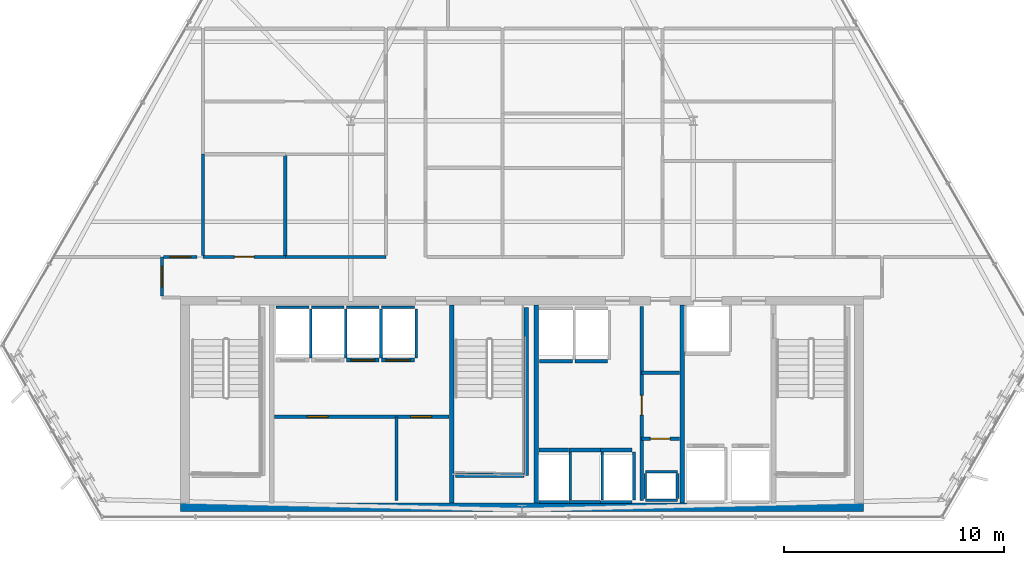
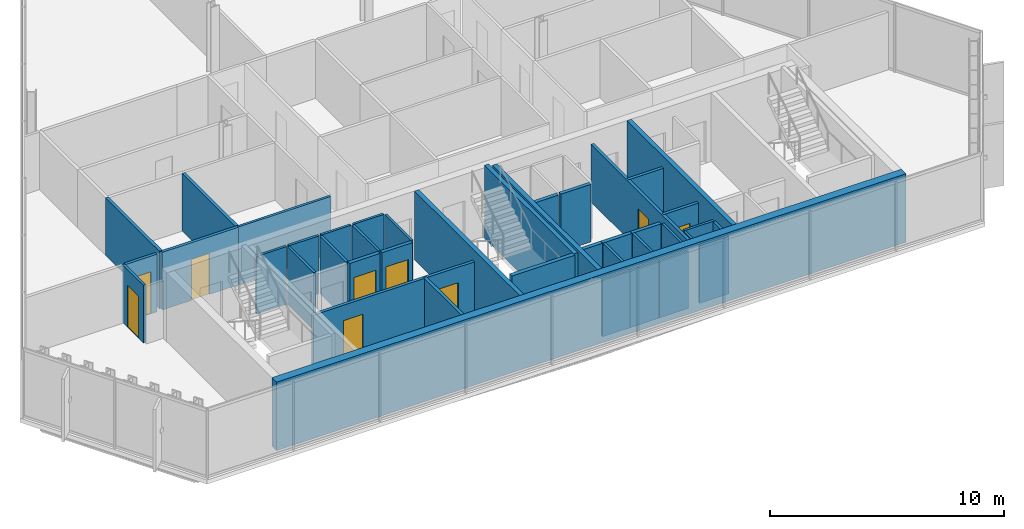
# One storey, part 27 of 34: 42 walls, 9 doors, 9 openings.
"""IFC4 building model written with IfcOpenShell, lengths in metres."""

from ifc_helpers import new_model, si_unit, direction, frame, frame_2d, origin, place, context, subcontext, project, spatial, rectangle, extrude, material, layer, layer_set, type_object, element, fill, save


model = new_model("IFC4")

# Units and contexts
model_context = context("Model", 3, precision=1e-05, world=origin(), true_north=direction((0.0, 1.0)))
body_context = subcontext(model_context, "Body", "Model", "MODEL_VIEW")
ifc_project = project(units=[si_unit("LENGTHUNIT", "METRE"), si_unit("AREAUNIT", "SQUARE_METRE"), si_unit("VOLUMEUNIT", "CUBIC_METRE"), si_unit("PLANEANGLEUNIT", "RADIAN"), si_unit("MASSUNIT", "GRAM", prefix="KILO")], contexts=[model_context])

# Site, building, storey
site_placement = place(None, origin())
site = spatial("IfcSite", under=ifc_project, at=site_placement, CompositionType="ELEMENT")
building_placement = place(site_placement, origin())
building = spatial("IfcBuilding", under=site, at=building_placement, Name="Ndaravel Arena Tower", CompositionType="ELEMENT")
storey_placement = place(building_placement, frame((0.0, 0.0, 195.39990234375)))
storey = spatial("IfcBuildingStorey", under=building, at=storey_placement, Name="L47", CompositionType="ELEMENT", Elevation=195.39990234375)

# Wall, opening, door
ifc_material_1 = material(Name="Gypsum", Category="gypsum")
ifc_layer_1 = layer(ifc_material_1, 0.14990234375)
ifc_layer_set_1 = layer_set([ifc_layer_1], Name="Gypsum")
wall_type_1 = type_object("IfcWallType", Name="WALL-COMP-150", PredefinedType="PARTITIONING", material=ifc_layer_set_1)
wall_1_placement = place(storey_placement, frame((47.449951171875, 5.89990234375, 0.0), z_axis=(0.0, 0.0, 1.0), x_axis=(0.0, 1.0, 0.0)))
wall_1 = element("IfcWall", 1, at=wall_1_placement, inside=storey, type_object=wall_type_1, Name="L47 Core Riser Bay Partition", PredefinedType="PARTITIONING", context=body_context, shape_type="SweptSolid", body=[
    extrude(rectangle(XDim=8.85009765625, YDim=0.14990234375, at=frame_2d((4.425048828125, 0.0))), origin(), (0.0, 0.0, 1.0), 3.010498046875),
])
opening_1_placement = place(wall_1_placement, frame((3.89990234375, 0.0, 0.0)))
opening_1 = element("IfcOpeningElement", 2, at=opening_1_placement, cuts=wall_1, Name="Opening RD-01", PredefinedType="OPENING", context=body_context, shape_type="SweptSolid", body=[
    extrude(rectangle(XDim=0.89990234375, YDim=2.10009765625, at=frame_2d((0.449951171875, 1.050048828125))), frame((0.0, 0.074951171875, 0.0), z_axis=(0.0, -1.0, 0.0), x_axis=(1.0, 0.0, 0.0)), (0.0, 0.0, 1.0), 0.14990234375),
])
ifc_material_2 = material(Name="Steel S355", Category="steel")
door_type_1 = type_object("IfcDoorType", Name="DT-08-RISER-900", OperationType="SINGLE_SWING_LEFT", PredefinedType="DOOR", material=ifc_material_2)
door_1_placement = place(opening_1_placement, origin())
door_1 = element("IfcDoor", 3, at=door_1_placement, inside=storey, type_object=door_type_1, Name="L47 Plumbing Riser Door", OperationType="SINGLE_SWING_LEFT", OverallHeight=2.10009765625, OverallWidth=0.89990234375, PredefinedType="DOOR", context=body_context, shape_type="SweptSolid", body=[
    extrude(rectangle(XDim=0.89990234375, YDim=2.10009765625, at=frame_2d((0.449951171875, 1.050048828125))), frame((0.0, 0.02490234375, 0.0), z_axis=(0.0, -1.0, 0.0), x_axis=(1.0, 0.0, 0.0)), (0.0, 0.0, 1.0), 0.050048828125),
])
fill(opening_1, door_1)

wall_2_placement = place(storey_placement, frame((47.449951171875, 8.719970703125, 0.0), z_axis=(0.0, 0.0, 1.0), x_axis=(1.0, 0.0, 0.0)))
wall_2 = element("IfcWall", 4, at=wall_2_placement, inside=storey, type_object=wall_type_1, Name="L47 Core Riser Divider 1", PredefinedType="PARTITIONING", context=body_context, shape_type="SweptSolid", body=[
    extrude(rectangle(XDim=1.72998046875, YDim=0.14990234375, at=frame_2d((0.864990234375, 0.0))), origin(), (0.0, 0.0, 1.0), 3.010498046875),
])
opening_2_placement = place(wall_2_placement, frame((0.39990234375, 0.0, 0.0)))
opening_2 = element("IfcOpeningElement", 5, at=opening_2_placement, cuts=wall_2, Name="Opening RD-01", PredefinedType="OPENING", context=body_context, shape_type="SweptSolid", body=[
    extrude(rectangle(XDim=0.89990234375, YDim=2.10009765625, at=frame_2d((0.449951171875, 1.050048828125))), frame((0.0, 0.074951171875, 0.0), z_axis=(0.0, -1.0, 0.0), x_axis=(1.0, 0.0, 0.0)), (0.0, 0.0, 1.0), 0.14990234375),
])
door_2_placement = place(opening_2_placement, origin())
door_2 = element("IfcDoor", 6, at=door_2_placement, inside=storey, type_object=door_type_1, Name="L47 Low-Voltage Riser Door", OperationType="SINGLE_SWING_RIGHT", OverallHeight=2.10009765625, OverallWidth=0.89990234375, PredefinedType="DOOR", context=body_context, shape_type="SweptSolid", body=[
    extrude(rectangle(XDim=0.89990234375, YDim=2.10009765625, at=frame_2d((0.449951171875, 1.050048828125))), frame((0.0, 0.02490234375, 0.0), z_axis=(0.0, -1.0, 0.0), x_axis=(1.0, 0.0, 0.0)), (0.0, 0.0, 1.0), 0.050048828125),
])
fill(opening_2, door_2)

# Wall
wall_3_placement = place(storey_placement, frame((47.449951171875, 11.719970703125, 0.0), z_axis=(0.0, 0.0, 1.0), x_axis=(1.0, 0.0, 0.0)))
element("IfcWall", 7, at=wall_3_placement, inside=storey, type_object=wall_type_1, Name="L47 Core Riser Divider 2", PredefinedType="PARTITIONING", context=body_context, shape_type="SweptSolid", body=[
    extrude(rectangle(XDim=1.72998046875, YDim=0.14990234375, at=frame_2d((0.864990234375, 0.0))), origin(), (0.0, 0.0, 1.0), 3.010498046875),
])

# Wall, openings, doors
wall_4_placement = place(storey_placement, frame((30.719970703125, 9.719970703125, 0.0), z_axis=(0.0, 0.0, 1.0), x_axis=(1.0, 0.0, 0.0)))
wall_4 = element("IfcWall", 8, at=wall_4_placement, inside=storey, type_object=wall_type_1, Name="L47 Reclaimed Shaft Partition", PredefinedType="PARTITIONING", context=body_context, shape_type="SweptSolid", body=[
    extrude(rectangle(XDim=7.9599609375, YDim=0.14990234375, at=frame_2d((3.97998046875, 0.0))), origin(), (0.0, 0.0, 1.0), 3.010498046875),
])
opening_3_placement = place(wall_4_placement, frame((1.5, 0.0, 0.0)))
opening_3 = element("IfcOpeningElement", 9, at=opening_3_placement, cuts=wall_4, Name="Opening FD-03", PredefinedType="OPENING", context=body_context, shape_type="SweptSolid", body=[
    extrude(rectangle(XDim=0.949951171875, YDim=2.199951171875, at=frame_2d((0.47509765625, 1.10009765625))), frame((0.0, 0.074951171875, 0.0), z_axis=(0.0, -1.0, 0.0), x_axis=(1.0, 0.0, 0.0)), (0.0, 0.0, 1.0), 0.14990234375),
])
opening_4_placement = place(wall_4_placement, frame((6.2099609375, 0.0, 0.0)))
opening_4 = element("IfcOpeningElement", 10, at=opening_4_placement, cuts=wall_4, Name="Opening FD-03", PredefinedType="OPENING", context=body_context, shape_type="SweptSolid", body=[
    extrude(rectangle(XDim=0.949951171875, YDim=2.199951171875, at=frame_2d((0.47509765625, 1.10009765625))), frame((0.0, 0.074951171875, 0.0), z_axis=(0.0, -1.0, 0.0), x_axis=(1.0, 0.0, 0.0)), (0.0, 0.0, 1.0), 0.14990234375),
])
ifc_material_3 = material(Name="Steel S355", Category="steel")
door_type_2 = type_object("IfcDoorType", Name="DT-11-CORE-950", OperationType="SINGLE_SWING_LEFT", PredefinedType="DOOR", material=ifc_material_3)
door_3_placement = place(opening_3_placement, origin())
door_3 = element("IfcDoor", 11, at=door_3_placement, inside=storey, type_object=door_type_2, Name="L47 ICT Server Room Door", OperationType="SINGLE_SWING_LEFT", OverallHeight=2.199951171875, OverallWidth=0.949951171875, PredefinedType="DOOR", context=body_context, shape_type="SweptSolid", body=[
    extrude(rectangle(XDim=0.949951171875, YDim=2.199951171875, at=frame_2d((0.47509765625, 1.10009765625))), frame((0.0, 0.02490234375, 0.0), z_axis=(0.0, -1.0, 0.0), x_axis=(1.0, 0.0, 0.0)), (0.0, 0.0, 1.0), 0.050048828125),
])
fill(opening_3, door_3)
door_4_placement = place(opening_4_placement, origin())
door_4 = element("IfcDoor", 12, at=door_4_placement, inside=storey, type_object=door_type_2, Name="L47 Core Archive Room Door", OperationType="SINGLE_SWING_RIGHT", OverallHeight=2.199951171875, OverallWidth=0.949951171875, PredefinedType="DOOR", context=body_context, shape_type="SweptSolid", body=[
    extrude(rectangle(XDim=0.949951171875, YDim=2.199951171875, at=frame_2d((0.47509765625, 1.10009765625))), frame((0.0, 0.02490234375, 0.0), z_axis=(0.0, -1.0, 0.0), x_axis=(1.0, 0.0, 0.0)), (0.0, 0.0, 1.0), 0.050048828125),
])
fill(opening_4, door_4)

# Walls
wall_5_placement = place(storey_placement, frame((36.280029296875, 5.89990234375, 0.0), z_axis=(0.0, 0.0, 1.0), x_axis=(0.0, 1.0, 0.0)))
element("IfcWall", 13, at=wall_5_placement, inside=storey, type_object=wall_type_1, Name="L47 Reclaimed Bay Divider", PredefinedType="PARTITIONING", context=body_context, shape_type="SweptSolid", body=[
    extrude(rectangle(XDim=3.820068359375, YDim=0.14990234375, at=frame_2d((1.91015625, 0.0))), origin(), (0.0, 0.0, 1.0), 3.010498046875),
])
ifc_material_4 = material(Name="Concrete C50/60", Category="concrete")
ifc_layer_2 = layer(ifc_material_4, 0.219970703125)
ifc_layer_set_2 = layer_set([ifc_layer_2], Name="Concrete C50/60")
wall_type_2 = type_object("IfcWallType", Name="WALL-CORE-220", PredefinedType="SOLIDWALL", material=ifc_layer_set_2)
for number, where, z_axis, x_axis, name in (
    (14, (38.800048828125, 5.800048828125, 0.0), (0.0, 0.0, 1.0), (0.0, 1.0, 0.0), "L47 Core Web Shear Wall 2"),
    (15, (42.64990234375, 5.800048828125, 0.0), (0.0, 0.0, 1.0), (0.0, 1.0, 0.0), "L47 Core Web Shear Wall 3"),
    (16, (49.300048828125, 5.800048828125, 0.0), (0.0, 0.0, 1.0), (0.0, 1.0, 0.0), "L47 Core Web Shear Wall 4"),
):
    element("IfcWall", number, at=place(storey_placement, frame(where, z_axis=z_axis, x_axis=x_axis)), inside=storey, type_object=wall_type_2, Name=name, PredefinedType="SOLIDWALL", context=body_context, shape_type="SweptSolid", body=[
        extrude(rectangle(XDim=9.0, YDim=0.219970703125, at=frame_2d((4.5, 0.0))), origin(), (0.0, 0.0, 1.0), 3.580078125),
    ])
ifc_material_5 = material(Name="Concrete C50/60", Category="concrete")
ifc_layer_3 = layer(ifc_material_5, 0.39990234375)
ifc_layer_set_3 = layer_set([ifc_layer_3], Name="Concrete C50/60")
wall_type_3 = type_object("IfcWallType", Name="WALL-CORE-400", PredefinedType="SOLIDWALL", material=ifc_layer_set_3)
wall_6_placement = place(storey_placement, frame((26.449951171875, 5.60009765625, 0.0), z_axis=(0.0, 0.0, 1.0), x_axis=(1.0, 0.0, 0.0)))
element("IfcWall", 17, at=wall_6_placement, inside=storey, type_object=wall_type_3, Name="L47 Core South Shear Wall", PredefinedType="SOLIDWALL", context=body_context, shape_type="SweptSolid", body=[
    extrude(rectangle(XDim=31.10009765625, YDim=0.39990234375, at=frame_2d((15.550048828125, 0.0))), origin(), (0.0, 0.0, 1.0), 3.580078125),
])

# Wall, opening, door
ifc_material_6 = material(Name="Gypsum", Category="gypsum")
ifc_layer_4 = layer(ifc_material_6, 0.125)
ifc_layer_set_4 = layer_set([ifc_layer_4], Name="Gypsum")
wall_type_4 = type_object("IfcWallType", Name="WALL-PART-125", PredefinedType="PARTITIONING", material=ifc_layer_set_4)
wall_7_placement = place(storey_placement, frame((25.60009765625, 15.215087890625, 0.0), z_axis=(0.0, 0.0, 1.0), x_axis=(0.0, 1.0, 0.0)))
wall_7 = element("IfcWall", 18, at=wall_7_placement, inside=storey, type_object=wall_type_4, Name="L47 Interior Partition 004", PredefinedType="PARTITIONING", context=body_context, shape_type="SweptSolid", body=[
    extrude(rectangle(XDim=1.784912109375, YDim=0.125, at=frame_2d((0.892578125, 0.0))), origin(), (0.0, 0.0, 1.0), 3.010498046875),
])
opening_5_placement = place(wall_7_placement, frame((0.41748046875, 0.0, 0.0)))
opening_5 = element("IfcOpeningElement", 19, at=opening_5_placement, cuts=wall_7, Name="Opening ID-01", PredefinedType="OPENING", context=body_context, shape_type="SweptSolid", body=[
    extrude(rectangle(XDim=0.949951171875, YDim=2.199951171875, at=frame_2d((0.47509765625, 1.10009765625))), frame((0.0, 0.0625, 0.0), z_axis=(0.0, -1.0, 0.0), x_axis=(1.0, 0.0, 0.0)), (0.0, 0.0, 1.0), 0.125),
])
ifc_material_7 = material(Name="Timber", Category="wood")
door_type_3 = type_object("IfcDoorType", Name="DT-03-OFFICE-950", OperationType="SINGLE_SWING_LEFT", PredefinedType="DOOR", material=ifc_material_7)
door_5_placement = place(opening_5_placement, origin())
door_5 = element("IfcDoor", 20, at=door_5_placement, inside=storey, type_object=door_type_3, Name="L47 Collaborative Lounge Door", OperationType="SINGLE_SWING_RIGHT", OverallHeight=2.199951171875, OverallWidth=0.949951171875, PredefinedType="DOOR", context=body_context, shape_type="SweptSolid", body=[
    extrude(rectangle(XDim=0.949951171875, YDim=2.199951171875, at=frame_2d((0.47509765625, 1.10009765625))), frame((0.0, 0.02490234375, 0.0), z_axis=(0.0, -1.0, 0.0), x_axis=(1.0, 0.0, 0.0)), (0.0, 0.0, 1.0), 0.050048828125),
])
fill(opening_5, door_5)

# Walls
wall_8_placement = place(storey_placement, frame((31.220458984375, 17.0, 0.0), z_axis=(0.0, 0.0, 1.0), x_axis=(1.0, 0.0, 0.0)))
element("IfcWall", 21, at=wall_8_placement, inside=storey, type_object=wall_type_4, Name="L47 Interior Partition 007", PredefinedType="PARTITIONING", context=body_context, shape_type="SweptSolid", body=[
    extrude(rectangle(XDim=4.57958984375, YDim=0.125, at=frame_2d((2.289794921875, 0.0))), origin(), (0.0, 0.0, 1.0), 3.010498046875),
])
ifc_material_8 = material(Name="Concrete C40/50", Category="concrete")
ifc_layer_5 = layer(ifc_material_8, 0.1201171875)
ifc_layer_set_5 = layer_set([ifc_layer_5], Name="Concrete C40/50")
wall_type_5 = type_object("IfcWallType", Name="WALL-SHAFT-120", PredefinedType="SOLIDWALL", material=ifc_layer_set_5)
for number, where, z_axis, x_axis, name in (
    (22, (47.6201171875, 5.919921875, 0.0), (0.0, 0.0, 1.0), (1.0, 0.0, 0.0), "L47 MEP Riser Shaft S Wall"),
    (23, (47.6201171875, 7.219970703125, 0.0), (0.0, 0.0, 1.0), (1.0, 0.0, 0.0), "L47 MEP Riser Shaft N Wall"),
):
    element("IfcWall", number, at=place(storey_placement, frame(where, z_axis=z_axis, x_axis=x_axis)), inside=storey, type_object=wall_type_5, Name=name, PredefinedType="SOLIDWALL", context=body_context, shape_type="SweptSolid", body=[
        extrude(rectangle(XDim=1.4599609375, YDim=0.1201171875, at=frame_2d((0.72998046875, 0.0))), origin(), (0.0, 0.0, 1.0), 3.010498046875),
    ])
for number, where, z_axis, x_axis, name in (
    (24, (47.6201171875, 6.0, 0.0), (0.0, 0.0, 1.0), (0.0, 1.0, 0.0), "L47 MEP Riser Shaft W Wall"),
    (25, (49.080078125, 6.0, 0.0), (0.0, 0.0, 1.0), (0.0, 1.0, 0.0), "L47 MEP Riser Shaft E Wall"),
):
    element("IfcWall", number, at=place(storey_placement, frame(where, z_axis=z_axis, x_axis=x_axis)), inside=storey, type_object=wall_type_5, Name=name, PredefinedType="SOLIDWALL", context=body_context, shape_type="SweptSolid", body=[
        extrude(rectangle(XDim=1.139892578125, YDim=0.1201171875, at=frame_2d((0.56982421875, 0.0))), origin(), (0.0, 0.0, 1.0), 3.010498046875),
    ])
wall_9_placement = place(storey_placement, frame((30.804931640625, 14.7099609375, 0.0), z_axis=(0.0, 0.0, 1.0), x_axis=(1.0, 0.0, 0.0)))
element("IfcWall", 26, at=wall_9_placement, inside=storey, type_object=wall_type_5, Name="L47 PL-M1 Shaft Rear Wall", PredefinedType="SOLIDWALL", context=body_context, shape_type="SweptSolid", body=[
    extrude(rectangle(XDim=1.489990234375, YDim=0.1201171875, at=frame_2d((0.7451171875, 0.0))), origin(), (0.0, 0.0, 1.0), 3.010498046875),
])
wall_10_placement = place(storey_placement, frame((32.375, 12.389892578125, 0.0), z_axis=(0.0, 0.0, 1.0), x_axis=(0.0, 1.0, 0.0)))
element("IfcWall", 27, at=wall_10_placement, inside=storey, type_object=wall_type_5, Name="L47 PL-M1 Shaft Side R Wall", PredefinedType="SOLIDWALL", context=body_context, shape_type="SweptSolid", body=[
    extrude(rectangle(XDim=2.230224609375, YDim=0.1201171875, at=frame_2d((1.115234375, 0.0))), origin(), (0.0, 0.0, 1.0), 3.010498046875),
])
wall_11_placement = place(storey_placement, frame((32.405029296875, 14.7099609375, 0.0), z_axis=(0.0, 0.0, 1.0), x_axis=(1.0, 0.0, 0.0)))
element("IfcWall", 28, at=wall_11_placement, inside=storey, type_object=wall_type_5, Name="L47 PL-M2 Shaft Rear Wall", PredefinedType="SOLIDWALL", context=body_context, shape_type="SweptSolid", body=[
    extrude(rectangle(XDim=1.489990234375, YDim=0.1201171875, at=frame_2d((0.7451171875, 0.0))), origin(), (0.0, 0.0, 1.0), 3.010498046875),
])
wall_12_placement = place(storey_placement, frame((33.97509765625, 12.389892578125, 0.0), z_axis=(0.0, 0.0, 1.0), x_axis=(0.0, 1.0, 0.0)))
element("IfcWall", 29, at=wall_12_placement, inside=storey, type_object=wall_type_5, Name="L47 PL-M2 Shaft Side R Wall", PredefinedType="SOLIDWALL", context=body_context, shape_type="SweptSolid", body=[
    extrude(rectangle(XDim=2.230224609375, YDim=0.1201171875, at=frame_2d((1.115234375, 0.0))), origin(), (0.0, 0.0, 1.0), 3.010498046875),
])
wall_13_placement = place(storey_placement, frame((34.0048828125, 14.7099609375, 0.0), z_axis=(0.0, 0.0, 1.0), x_axis=(1.0, 0.0, 0.0)))
element("IfcWall", 30, at=wall_13_placement, inside=storey, type_object=wall_type_5, Name="L47 PL-M3 Shaft Rear Wall", PredefinedType="SOLIDWALL", context=body_context, shape_type="SweptSolid", body=[
    extrude(rectangle(XDim=1.490234375, YDim=0.1201171875, at=frame_2d((0.7451171875, 0.0))), origin(), (0.0, 0.0, 1.0), 3.010498046875),
])
wall_14_placement = place(storey_placement, frame((35.574951171875, 12.389892578125, 0.0), z_axis=(0.0, 0.0, 1.0), x_axis=(0.0, 1.0, 0.0)))
element("IfcWall", 31, at=wall_14_placement, inside=storey, type_object=wall_type_5, Name="L47 PL-M3 Shaft Side R Wall", PredefinedType="SOLIDWALL", context=body_context, shape_type="SweptSolid", body=[
    extrude(rectangle(XDim=2.230224609375, YDim=0.1201171875, at=frame_2d((1.115234375, 0.0))), origin(), (0.0, 0.0, 1.0), 3.010498046875),
])
wall_15_placement = place(storey_placement, frame((35.60498046875, 14.7099609375, 0.0), z_axis=(0.0, 0.0, 1.0), x_axis=(1.0, 0.0, 0.0)))
element("IfcWall", 32, at=wall_15_placement, inside=storey, type_object=wall_type_5, Name="L47 PL-M4 Shaft Rear Wall", PredefinedType="SOLIDWALL", context=body_context, shape_type="SweptSolid", body=[
    extrude(rectangle(XDim=1.489990234375, YDim=0.1201171875, at=frame_2d((0.7451171875, 0.0))), origin(), (0.0, 0.0, 1.0), 3.010498046875),
])
wall_16_placement = place(storey_placement, frame((37.175048828125, 12.389892578125, 0.0), z_axis=(0.0, 0.0, 1.0), x_axis=(0.0, 1.0, 0.0)))
element("IfcWall", 33, at=wall_16_placement, inside=storey, type_object=wall_type_5, Name="L47 PL-M4 Shaft Side R Wall", PredefinedType="SOLIDWALL", context=body_context, shape_type="SweptSolid", body=[
    extrude(rectangle(XDim=2.230224609375, YDim=0.1201171875, at=frame_2d((1.115234375, 0.0))), origin(), (0.0, 0.0, 1.0), 3.010498046875),
])
wall_17_placement = place(storey_placement, frame((42.780029296875, 5.840087890625, 0.0), z_axis=(0.0, 0.0, 1.0), x_axis=(1.0, 0.0, 0.0)))
element("IfcWall", 34, at=wall_17_placement, inside=storey, type_object=wall_type_5, Name="L47 PL-H1 Shaft Rear Wall", PredefinedType="SOLIDWALL", context=body_context, shape_type="SweptSolid", body=[
    extrude(rectangle(XDim=1.340087890625, YDim=0.1201171875, at=frame_2d((0.669921875, 0.0))), origin(), (0.0, 0.0, 1.0), 3.010498046875),
])
wall_18_placement = place(storey_placement, frame((44.199951171875, 5.929931640625, 0.0), z_axis=(0.0, 0.0, 1.0), x_axis=(0.0, 1.0, 0.0)))
element("IfcWall", 35, at=wall_18_placement, inside=storey, type_object=wall_type_5, Name="L47 PL-H1 Shaft Side R Wall", PredefinedType="SOLIDWALL", context=body_context, shape_type="SweptSolid", body=[
    extrude(rectangle(XDim=2.18017578125, YDim=0.1201171875, at=frame_2d((1.090087890625, 0.0))), origin(), (0.0, 0.0, 1.0), 3.010498046875),
])
wall_19_placement = place(storey_placement, frame((44.1298828125, 5.840087890625, 0.0), z_axis=(0.0, 0.0, 1.0), x_axis=(1.0, 0.0, 0.0)))
element("IfcWall", 36, at=wall_19_placement, inside=storey, type_object=wall_type_5, Name="L47 PL-H2 Shaft Rear Wall", PredefinedType="SOLIDWALL", context=body_context, shape_type="SweptSolid", body=[
    extrude(rectangle(XDim=1.440185546875, YDim=0.1201171875, at=frame_2d((0.72021484375, 0.0))), origin(), (0.0, 0.0, 1.0), 3.010498046875),
])
wall_20_placement = place(storey_placement, frame((45.64990234375, 5.929931640625, 0.0), z_axis=(0.0, 0.0, 1.0), x_axis=(0.0, 1.0, 0.0)))
element("IfcWall", 37, at=wall_20_placement, inside=storey, type_object=wall_type_5, Name="L47 PL-H2 Shaft Side R Wall", PredefinedType="SOLIDWALL", context=body_context, shape_type="SweptSolid", body=[
    extrude(rectangle(XDim=2.18017578125, YDim=0.1201171875, at=frame_2d((1.090087890625, 0.0))), origin(), (0.0, 0.0, 1.0), 3.010498046875),
])
wall_21_placement = place(storey_placement, frame((45.580078125, 5.840087890625, 0.0), z_axis=(0.0, 0.0, 1.0), x_axis=(1.0, 0.0, 0.0)))
element("IfcWall", 38, at=wall_21_placement, inside=storey, type_object=wall_type_5, Name="L47 PL-H3 Shaft Rear Wall", PredefinedType="SOLIDWALL", context=body_context, shape_type="SweptSolid", body=[
    extrude(rectangle(XDim=1.43994140625, YDim=0.1201171875, at=frame_2d((0.719970703125, 0.0))), origin(), (0.0, 0.0, 1.0), 3.010498046875),
])
wall_22_placement = place(storey_placement, frame((47.10009765625, 5.929931640625, 0.0), z_axis=(0.0, 0.0, 1.0), x_axis=(0.0, 1.0, 0.0)))
element("IfcWall", 39, at=wall_22_placement, inside=storey, type_object=wall_type_5, Name="L47 PL-H3 Shaft Side R Wall", PredefinedType="SOLIDWALL", context=body_context, shape_type="SweptSolid", body=[
    extrude(rectangle(XDim=2.18017578125, YDim=0.1201171875, at=frame_2d((1.090087890625, 0.0))), origin(), (0.0, 0.0, 1.0), 3.010498046875),
])
ifc_material_9 = material(Name="Concrete C40/50", Category="concrete")
ifc_layer_6 = layer(ifc_material_9, 0.199951171875)
ifc_layer_set_6 = layer_set([ifc_layer_6], Name="Concrete C40/50")
wall_type_6 = type_object("IfcWallType", Name="WALL-SHAFT-200", PredefinedType="SOLIDWALL", material=ifc_layer_set_6)
wall_23_placement = place(storey_placement, frame((42.18994140625, 14.699951171875, 0.0), z_axis=(0.0, 0.0, 1.0), x_axis=(0.0, -1.0, 0.0)))
element("IfcWall", 40, at=wall_23_placement, inside=storey, type_object=wall_type_6, Name="L47 ST-2 Structural Shaft Wall Right", PredefinedType="SOLIDWALL", context=body_context, shape_type="SweptSolid", body=[
    extrude(rectangle(XDim=7.64990234375, YDim=0.199951171875, at=frame_2d((3.824951171875, 0.0))), origin(), (0.0, 0.0, 1.0), 3.800048828125),
])
wall_24_placement = place(storey_placement, frame((38.969970703125, 7.050048828125, 0.0), z_axis=(0.0, 0.0, 1.0), x_axis=(1.0, 0.0, 0.0)))
element("IfcWall", 41, at=wall_24_placement, inside=storey, type_object=wall_type_6, Name="L47 ST-2 Structural Shaft Wall Far", PredefinedType="SOLIDWALL", context=body_context, shape_type="SweptSolid", body=[
    extrude(rectangle(XDim=3.114990234375, YDim=0.199951171875, at=frame_2d((1.5576171875, 0.0))), origin(), (0.0, 0.0, 1.0), 3.800048828125),
])

# Wall, opening, door
wall_25_placement = place(storey_placement, frame((34.0048828125, 12.300048828125, 0.0), z_axis=(0.0, 0.0, 1.0), x_axis=(1.0, 0.0, 0.0)))
wall_25 = element("IfcWall", 42, at=wall_25_placement, inside=storey, type_object=wall_type_6, Name="L47 PL-M3 Shaft Landing Wall", PredefinedType="SOLIDWALL", context=body_context, shape_type="SweptSolid", body=[
    extrude(rectangle(XDim=1.490234375, YDim=0.179931640625, at=frame_2d((0.7451171875, 0.0))), origin(), (0.0, 0.0, 1.0), 3.010498046875),
])
opening_6_placement = place(wall_25_placement, frame((0.195068359375, 0.0, 0.0)))
opening_6 = element("IfcOpeningElement", 43, at=opening_6_placement, cuts=wall_25, Name="Opening LD-01", PredefinedType="OPENING", context=body_context, shape_type="SweptSolid", body=[
    extrude(rectangle(XDim=1.10009765625, YDim=2.199951171875, at=frame_2d((0.550048828125, 1.10009765625))), frame((0.0, 0.08984375, 0.0), z_axis=(0.0, -1.0, 0.0), x_axis=(1.0, 0.0, 0.0)), (0.0, 0.0, 1.0), 0.179931640625),
])
ifc_material_10 = material(Name="Steel S355", Category="steel")
door_type_4 = type_object("IfcDoorType", Name="DT-06-LIFT-1100", OperationType="SLIDING_TO_LEFT", PredefinedType="DOOR", material=ifc_material_10)
door_6_placement = place(opening_6_placement, origin())
door_6 = element("IfcDoor", 44, at=door_6_placement, inside=storey, type_object=door_type_4, Name="L47 Lift PL-M3 Sliding Landing Door", OperationType="SLIDING_TO_LEFT", OverallHeight=2.199951171875, OverallWidth=1.10009765625, PredefinedType="DOOR", context=body_context, shape_type="SweptSolid", body=[
    extrude(rectangle(XDim=1.10009765625, YDim=2.199951171875, at=frame_2d((0.550048828125, 1.10009765625))), frame((0.0, 0.02490234375, 0.0), z_axis=(0.0, -1.0, 0.0), x_axis=(1.0, 0.0, 0.0)), (0.0, 0.0, 1.0), 0.050048828125),
])
fill(opening_6, door_6)

wall_26_placement = place(storey_placement, frame((35.60498046875, 12.300048828125, 0.0), z_axis=(0.0, 0.0, 1.0), x_axis=(1.0, 0.0, 0.0)))
wall_26 = element("IfcWall", 45, at=wall_26_placement, inside=storey, type_object=wall_type_6, Name="L47 PL-M4 Shaft Landing Wall", PredefinedType="SOLIDWALL", context=body_context, shape_type="SweptSolid", body=[
    extrude(rectangle(XDim=1.489990234375, YDim=0.179931640625, at=frame_2d((0.7451171875, 0.0))), origin(), (0.0, 0.0, 1.0), 3.010498046875),
])
opening_7_placement = place(wall_26_placement, frame((0.195068359375, 0.0, 0.0)))
opening_7 = element("IfcOpeningElement", 46, at=opening_7_placement, cuts=wall_26, Name="Opening LD-01", PredefinedType="OPENING", context=body_context, shape_type="SweptSolid", body=[
    extrude(rectangle(XDim=1.10009765625, YDim=2.199951171875, at=frame_2d((0.550048828125, 1.10009765625))), frame((0.0, 0.08984375, 0.0), z_axis=(0.0, -1.0, 0.0), x_axis=(1.0, 0.0, 0.0)), (0.0, 0.0, 1.0), 0.179931640625),
])
door_7_placement = place(opening_7_placement, origin())
door_7 = element("IfcDoor", 47, at=door_7_placement, inside=storey, type_object=door_type_4, Name="L47 Lift PL-M4 Sliding Landing Door", OperationType="SLIDING_TO_LEFT", OverallHeight=2.199951171875, OverallWidth=1.10009765625, PredefinedType="DOOR", context=body_context, shape_type="SweptSolid", body=[
    extrude(rectangle(XDim=1.10009765625, YDim=2.199951171875, at=frame_2d((0.550048828125, 1.10009765625))), frame((0.0, 0.02490234375, 0.0), z_axis=(0.0, -1.0, 0.0), x_axis=(1.0, 0.0, 0.0)), (0.0, 0.0, 1.0), 0.050048828125),
])
fill(opening_7, door_7)

# Walls
wall_27_placement = place(storey_placement, frame((42.780029296875, 8.199951171875, 0.0), z_axis=(0.0, 0.0, 1.0), x_axis=(1.0, 0.0, 0.0)))
element("IfcWall", 48, at=wall_27_placement, inside=storey, type_object=wall_type_6, Name="L47 PL-H1 Shaft Landing Wall", PredefinedType="SOLIDWALL", context=body_context, shape_type="SweptSolid", body=[
    extrude(rectangle(XDim=1.340087890625, YDim=0.179931640625, at=frame_2d((0.669921875, 0.0))), origin(), (0.0, 0.0, 1.0), 3.010498046875),
])
wall_28_placement = place(storey_placement, frame((44.1298828125, 8.199951171875, 0.0), z_axis=(0.0, 0.0, 1.0), x_axis=(1.0, 0.0, 0.0)))
element("IfcWall", 49, at=wall_28_placement, inside=storey, type_object=wall_type_6, Name="L47 PL-H2 Shaft Landing Wall", PredefinedType="SOLIDWALL", context=body_context, shape_type="SweptSolid", body=[
    extrude(rectangle(XDim=1.440185546875, YDim=0.179931640625, at=frame_2d((0.72021484375, 0.0))), origin(), (0.0, 0.0, 1.0), 3.010498046875),
])
wall_29_placement = place(storey_placement, frame((45.580078125, 8.199951171875, 0.0), z_axis=(0.0, 0.0, 1.0), x_axis=(1.0, 0.0, 0.0)))
element("IfcWall", 50, at=wall_29_placement, inside=storey, type_object=wall_type_6, Name="L47 PL-H3 Shaft Landing Wall", PredefinedType="SOLIDWALL", context=body_context, shape_type="SweptSolid", body=[
    extrude(rectangle(XDim=1.43994140625, YDim=0.179931640625, at=frame_2d((0.719970703125, 0.0))), origin(), (0.0, 0.0, 1.0), 3.010498046875),
])
for number, where, z_axis, x_axis, name in (
    (51, (42.804931640625, 12.25, 0.0), (0.0, 0.0, 1.0), (1.0, 0.0, 0.0), "L47 PL-OBS1 Shaft Landing Wall"),
    (52, (44.405029296875, 12.25, 0.0), (0.0, 0.0, 1.0), (1.0, 0.0, 0.0), "L47 PL-OBS2 Shaft Landing Wall"),
):
    element("IfcWall", number, at=place(storey_placement, frame(where, z_axis=z_axis, x_axis=x_axis)), inside=storey, type_object=wall_type_6, Name=name, PredefinedType="SOLIDWALL", context=body_context, shape_type="SweptSolid", body=[
        extrude(rectangle(XDim=1.489990234375, YDim=0.179931640625, at=frame_2d((0.7451171875, 0.0))), origin(), (0.0, 0.0, 1.0), 3.010498046875),
    ])

# Wall, opening, door
ifc_material_11 = material(Name="Masonry", Category="masonry")
ifc_layer_7 = layer(ifc_material_11, 0.14990234375)
ifc_layer_set_7 = layer_set([ifc_layer_7], Name="Masonry")
wall_type_7 = type_object("IfcWallType", Name="WALL-WET-150", PredefinedType="PARTITIONING", material=ifc_layer_set_7)
wall_30_placement = place(storey_placement, frame((25.6650390625, 17.0, 0.0), z_axis=(0.0, 0.0, 1.0), x_axis=(1.0, 0.0, 0.0)))
wall_30 = element("IfcWall", 53, at=wall_30_placement, inside=storey, type_object=wall_type_7, Name="L47 Interior Partition 005", PredefinedType="PARTITIONING", context=body_context, shape_type="SweptSolid", body=[
    extrude(rectangle(XDim=1.534912109375, YDim=0.14990234375, at=frame_2d((0.767578125, 0.0))), origin(), (0.0, 0.0, 1.0), 3.010498046875),
])
opening_8_placement = place(wall_30_placement, frame((0.29248046875, 0.0, 0.0)))
opening_8 = element("IfcOpeningElement", 54, at=opening_8_placement, cuts=wall_30, Name="Opening FD-03", PredefinedType="OPENING", context=body_context, shape_type="SweptSolid", body=[
    extrude(rectangle(XDim=0.949951171875, YDim=2.199951171875, at=frame_2d((0.47509765625, 1.10009765625))), frame((0.0, 0.074951171875, 0.0), z_axis=(0.0, -1.0, 0.0), x_axis=(1.0, 0.0, 0.0)), (0.0, 0.0, 1.0), 0.14990234375),
])
door_8_placement = place(opening_8_placement, origin())
door_8 = element("IfcDoor", 55, at=door_8_placement, inside=storey, type_object=door_type_2, Name="L47 Catering Pantry 2 Door", OperationType="SINGLE_SWING_RIGHT", OverallHeight=2.199951171875, OverallWidth=0.949951171875, PredefinedType="DOOR", context=body_context, shape_type="SweptSolid", body=[
    extrude(rectangle(XDim=0.949951171875, YDim=2.199951171875, at=frame_2d((0.47509765625, 1.10009765625))), frame((0.0, 0.02490234375, 0.0), z_axis=(0.0, -1.0, 0.0), x_axis=(1.0, 0.0, 0.0)), (0.0, 0.0, 1.0), 0.050048828125),
])
fill(opening_8, door_8)

wall_31_placement = place(storey_placement, frame((27.4736328125, 17.0, 0.0), z_axis=(0.0, 0.0, 1.0), x_axis=(1.0, 0.0, 0.0)))
wall_31 = element("IfcWall", 56, at=wall_31_placement, inside=storey, type_object=wall_type_7, Name="L47 Interior Partition 006", PredefinedType="PARTITIONING", context=body_context, shape_type="SweptSolid", body=[
    extrude(rectangle(XDim=3.746826171875, YDim=0.14990234375, at=frame_2d((1.87353515625, 0.0))), origin(), (0.0, 0.0, 1.0), 3.010498046875),
])
opening_9_placement = place(wall_31_placement, frame((1.423583984375, 0.0, 0.0)))
opening_9 = element("IfcOpeningElement", 57, at=opening_9_placement, cuts=wall_31, Name="Opening WD-01", PredefinedType="OPENING", context=body_context, shape_type="SweptSolid", body=[
    extrude(rectangle(XDim=0.89990234375, YDim=2.14990234375, at=frame_2d((0.449951171875, 1.074951171875))), frame((0.0, 0.074951171875, 0.0), z_axis=(0.0, -1.0, 0.0), x_axis=(1.0, 0.0, 0.0)), (0.0, 0.0, 1.0), 0.14990234375),
])
ifc_material_12 = material(Name="Timber", Category="wood")
door_type_5 = type_object("IfcDoorType", Name="DT-05-WC-900", OperationType="SINGLE_SWING_LEFT", PredefinedType="DOOR", material=ifc_material_12)
door_9_placement = place(opening_9_placement, origin())
door_9 = element("IfcDoor", 58, at=door_9_placement, inside=storey, type_object=door_type_5, Name="L47 Female & Accessible Restroom Door", OperationType="SINGLE_SWING_RIGHT", OverallHeight=2.14990234375, OverallWidth=0.89990234375, PredefinedType="DOOR", context=body_context, shape_type="SweptSolid", body=[
    extrude(rectangle(XDim=0.89990234375, YDim=2.14990234375, at=frame_2d((0.449951171875, 1.074951171875))), frame((0.0, 0.02490234375, 0.0), z_axis=(0.0, -1.0, 0.0), x_axis=(1.0, 0.0, 0.0)), (0.0, 0.0, 1.0), 0.050048828125),
])
fill(opening_9, door_9)

# Walls
wall_32_placement = place(storey_placement, frame((27.4736328125, 17.06494140625, 0.0), z_axis=(0.0, 0.0, 1.0), x_axis=(0.0, 1.0, 0.0)))
element("IfcWall", 59, at=wall_32_placement, inside=storey, type_object=wall_type_7, Name="L47 Interior Partition 035", PredefinedType="PARTITIONING", context=body_context, shape_type="SweptSolid", body=[
    extrude(rectangle(XDim=4.614990234375, YDim=0.14990234375, at=frame_2d((2.3076171875, 0.0))), origin(), (0.0, 0.0, 1.0), 3.010498046875),
])
wall_33_placement = place(storey_placement, frame((31.220458984375, 21.614990234375, 0.0), z_axis=(0.0, 0.0, 1.0), x_axis=(0.0, -1.0, 0.0)))
element("IfcWall", 60, at=wall_33_placement, inside=storey, type_object=wall_type_7, Name="L47 Interior Partition 037", PredefinedType="PARTITIONING", context=body_context, shape_type="SweptSolid", body=[
    extrude(rectangle(XDim=4.550048828125, YDim=0.14990234375, at=frame_2d((2.27490234375, 0.0))), origin(), (0.0, 0.0, 1.0), 3.010498046875),
])

save(model, "model.ifc")
